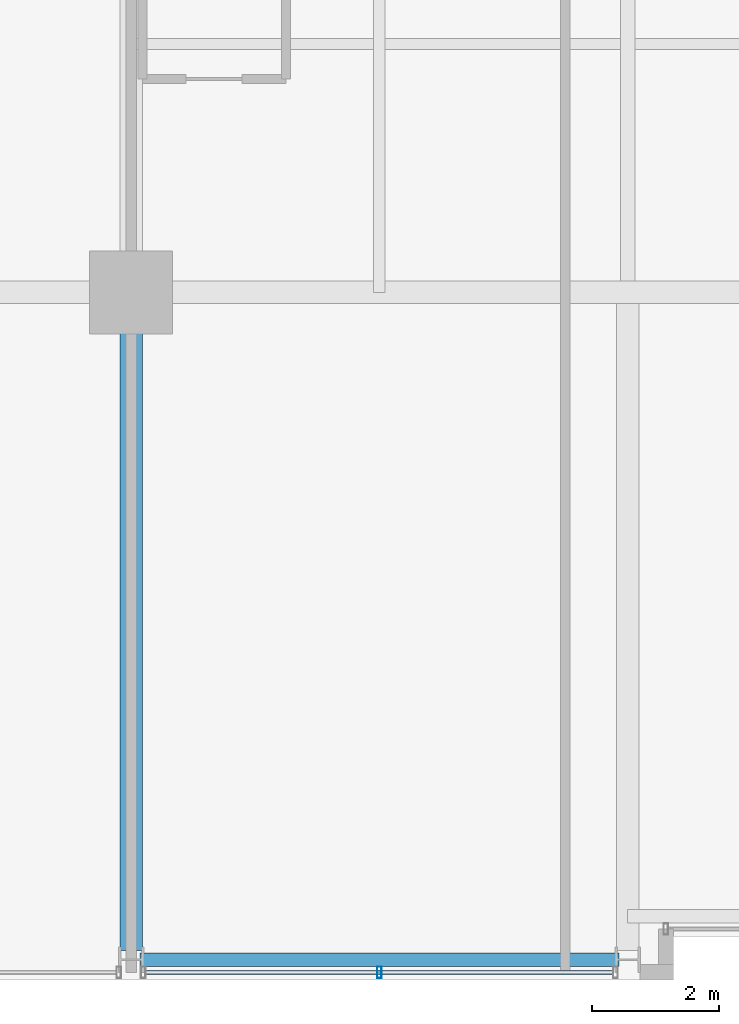
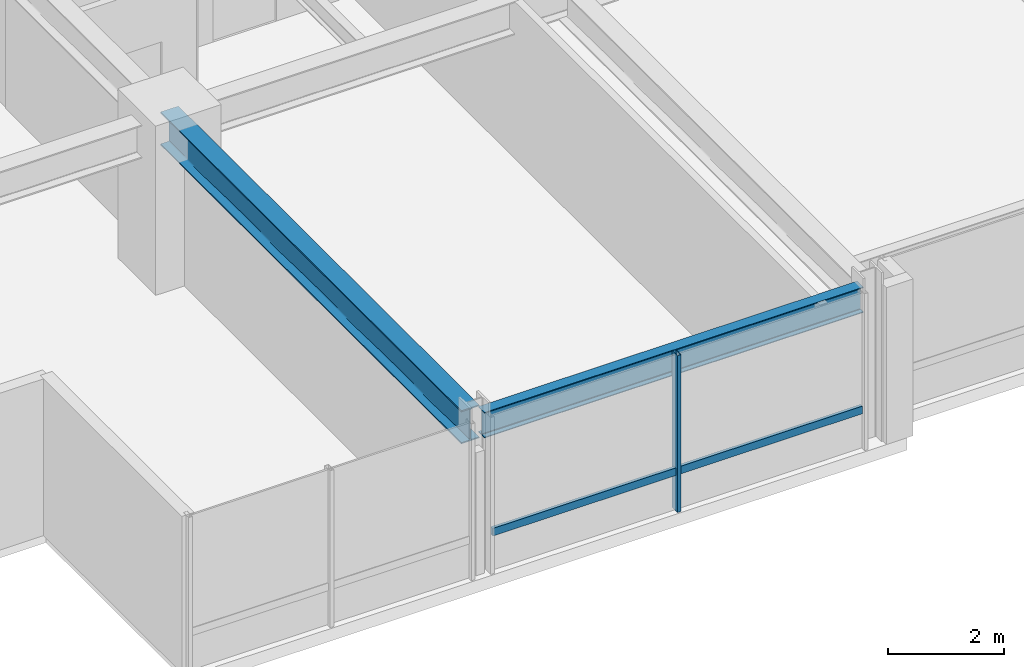
# One storey, part 3 of 32: 2 beams, 2 members, 1 element without a shape of its own.
"""IFC4 building model written with IfcOpenShell, lengths in metres."""

from ifc_helpers import new_model, si_unit, direction, frame, origin, origin_2d, place, context, subcontext, project, spatial, hollow_rectangle, i_section, extrude, material, layer, layer_set, material_profile, profile_set, type_object, element, aggregate, save


model = new_model("IFC4")

# Units and contexts
model_context = context("Model", 3, precision=1e-05, world=origin(), true_north=direction((0.0, 1.0)))
body_context = subcontext(model_context, "Body", "Model", "MODEL_VIEW")
ifc_project = project(units=[si_unit("LENGTHUNIT", "METRE"), si_unit("AREAUNIT", "SQUARE_METRE"), si_unit("VOLUMEUNIT", "CUBIC_METRE"), si_unit("PLANEANGLEUNIT", "RADIAN"), si_unit("MASSUNIT", "GRAM", prefix="KILO")], contexts=[model_context])

# Site, building, storey
site_placement = place(None, origin())
site = spatial("IfcSite", under=ifc_project, at=site_placement, CompositionType="ELEMENT")
building_placement = place(site_placement, origin())
building = spatial("IfcBuilding", under=site, at=building_placement, Name="Drelvath Grand Hotel", CompositionType="ELEMENT")
storey_placement = place(building_placement, frame((0.0, 0.0, 189.449951171875)))
storey = spatial("IfcBuildingStorey", under=building, at=storey_placement, Name="L49", CompositionType="ELEMENT", Elevation=189.449951171875)

# Curtain wall, members
ifc_material_1 = material(Name="Brushed Pale-Silver Anodised Aluminium Frame", Category="aluminium")
ifc_layer = layer(ifc_material_1, 0.199951171875)
ifc_layer_set = layer_set([ifc_layer], Name="Brushed Pale-Silver Anodised Aluminium Frame")
curtain_wall_type = type_object("IfcCurtainWallType", Name="Stick Curtain Wall CW-04 Brushed Silver Upper-Mid", PredefinedType="NOTDEFINED", material=ifc_layer_set)
curtain_wall_placement = place(storey_placement, origin())
curtain_wall = element("IfcCurtainWall", 1, at=curtain_wall_placement, inside=storey, type_object=curtain_wall_type, Name="L49 CW-04 Curtain Wall CW04-L49-SW2", PredefinedType="NOTDEFINED")
ifc_material_profile_1 = material_profile(ifc_material_1, hollow_rectangle(XDim=0.06494140625, YDim=0.159912109375, WallThickness=0.00390625, at=origin_2d()), Name="HSS160X65X4")
ifc_profile_set_1 = profile_set([ifc_material_profile_1], Name="Brushed Pale-Silver Anodised Aluminium Frame")
member_type_1 = type_object("IfcMemberType", Name="Curtain Wall Horizontal Transom CW-04 HSS160X65X4", PredefinedType="USERDEFINED", material=ifc_profile_set_1)
member_1_placement = place(storey_placement, frame((-8.631591796875, 0.1201171875, 0.822509765625), z_axis=(-1.0, 0.0, 0.0), x_axis=(0.0, -1.0, 0.0)))
member_1 = element("IfcMember", 2, at=member_1_placement, type_object=member_type_1, Name="CW04-L49-SW2 Sill Transom", ObjectType="TRANSOM", PredefinedType="USERDEFINED", context=body_context, shape_type="SweptSolid", body=[
    extrude(hollow_rectangle(XDim=0.06494140625, YDim=0.159912109375, WallThickness=0.00390625, at=origin_2d()), origin(), (0.0, 0.0, 1.0), 7.3369140625),
])
ifc_material_profile_2 = material_profile(ifc_material_1, hollow_rectangle(XDim=0.074951171875, YDim=0.179931640625, WallThickness=0.0048828125, at=origin_2d()), Name="HSS180X75X5")
ifc_profile_set_2 = profile_set([ifc_material_profile_2], Name="Brushed Pale-Silver Anodised Aluminium Frame")
member_type_2 = type_object("IfcMemberType", Name="Curtain Wall Vertical Mullion CW-04 HSS180X75X5", PredefinedType="MULLION", material=ifc_profile_set_2)
member_2_placement = place(storey_placement, frame((-12.300048828125, 0.1201171875, 0.0), z_axis=(0.0, 0.0, 1.0), x_axis=(1.0, 0.0, 0.0)))
member_2 = element("IfcMember", 3, at=member_2_placement, type_object=member_type_2, Name="CW04-L49-SW2 Mullion 2", PredefinedType="MULLION", context=body_context, shape_type="SweptSolid", body=[
    extrude(hollow_rectangle(XDim=0.074951171875, YDim=0.179931640625, WallThickness=0.0048828125, at=origin_2d()), origin(), (0.0, 0.0, 1.0), 3.2900390625),
])
aggregate(curtain_wall, [member_2, member_1])

# Beams
ifc_material_2 = material(Name="Steel ASTM A992 Gr 50", Category="steel")
ifc_material_profile_3 = material_profile(ifc_material_2, i_section(OverallWidth=0.210205078125, OverallDepth=0.53662109375, WebThickness=0.010986328125, FlangeThickness=0.017333984375, FilletRadius=0.01806640625, at=origin_2d()), Name="W21X68")
ifc_profile_set_3 = profile_set([ifc_material_profile_3], Name="Steel ASTM A992 Gr 50")
beam_type_1 = type_object("IfcBeamType", Name="Perimeter Spandrel Beam W21X68", PredefinedType="SPANDREL", material=ifc_profile_set_3)
beam_1_placement = place(storey_placement, frame((-16.06005859375, 0.320068359375, 3.021728515625), z_axis=(1.0, 0.0, 0.0), x_axis=(0.0, 1.0, 0.0)))
element("IfcBeam", 4, at=beam_1_placement, inside=storey, type_object=beam_type_1, Name="L49 Spandrel South W", PredefinedType="SPANDREL", context=body_context, shape_type="SweptSolid", body=[
    extrude(i_section(OverallWidth=0.210205078125, OverallDepth=0.53662109375, WebThickness=0.010986328125, FlangeThickness=0.017333984375, FilletRadius=0.01806640625, at=origin_2d()), origin(), (0.0, 0.0, 1.0), 7.52001953125),
])
ifc_material_profile_4 = material_profile(ifc_material_2, i_section(OverallWidth=0.354736328125, OverallDepth=0.695556640625, WebThickness=0.015380859375, FlangeThickness=0.025146484375, FilletRadius=0.02392578125, at=origin_2d()), Name="W27X146")
ifc_profile_set_4 = profile_set([ifc_material_profile_4], Name="Steel ASTM A992 Gr 50")
beam_type_2 = type_object("IfcBeamType", Name="Primary Floor Girder W27X146", PredefinedType="BEAM", material=ifc_profile_set_4)
beam_2_placement = place(storey_placement, frame((-16.199951171875, 0.4599609375, 2.9423828125), z_axis=(0.0, 1.0, 0.0), x_axis=(-1.0, 0.0, 0.0)))
element("IfcBeam", 5, at=beam_2_placement, inside=storey, type_object=beam_type_2, Name="L49 South Grid Girder 3", PredefinedType="BEAM", context=body_context, shape_type="SweptSolid", body=[
    extrude(i_section(OverallWidth=0.354736328125, OverallDepth=0.695556640625, WebThickness=0.015380859375, FlangeThickness=0.025146484375, FilletRadius=0.02392578125, at=origin_2d()), origin(), (0.0, 0.0, 1.0), 10.340087890625),
])

save(model, "model.ifc")
